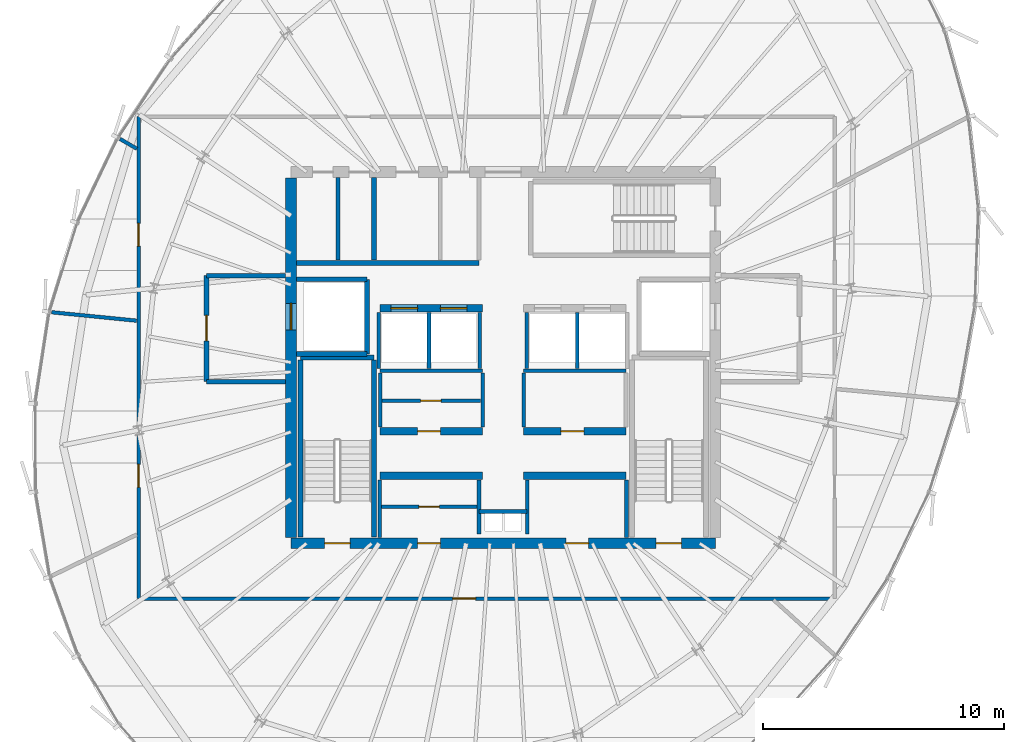
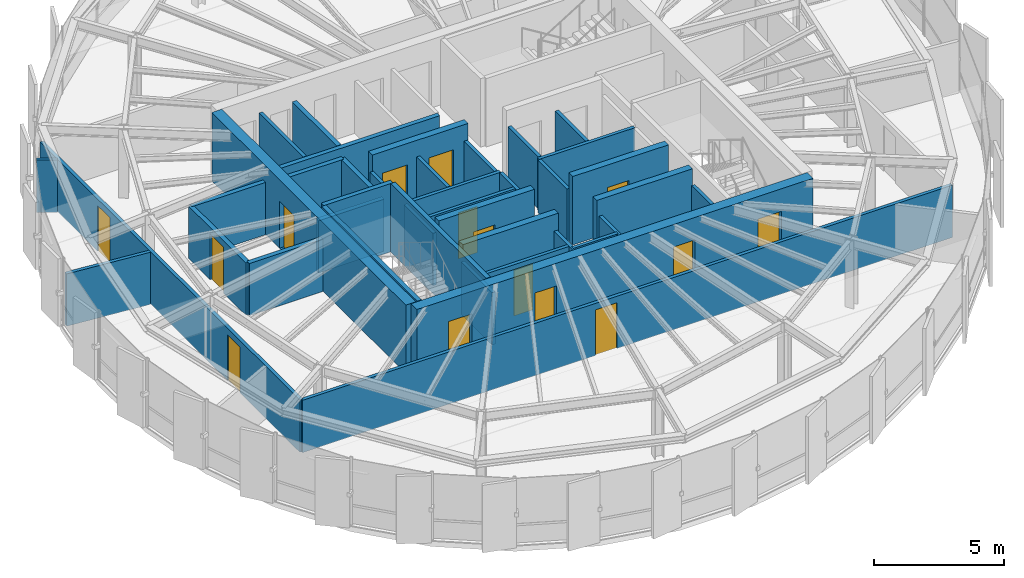
# One storey, part 25 of 31: 40 walls, 15 doors, 15 openings.
"""IFC4 building model written with IfcOpenShell, lengths in metres."""

import ifcopenshell
import ifcopenshell.guid

model = None  # the IFC model being written
_history = None  # IfcOwnerHistory: only IFC2X3 demands one
_inside = {}  # id of a spatial element -> (the spatial element, [elements in it])
_under = {}  # id of a project, library or spatial element -> (it, [spatial elements below it])
_declared = {}  # id of a project -> (the project, [libraries it declares])
_typed = {}  # id of a type object -> (the type object, [elements of that type])
_made_of = {}  # id of a material, layer set ... -> (it, [elements and type objects made of it])


def new_model(schema):
    """Start an empty IFC model of exactly this schema.

    Asked for "IFC4X3", IfcOpenShell would pick the latest addendum, in which some entities
    have other attributes; the version numbers below select the first issue.
    IFC2X3 requires an IfcOwnerHistory on every rooted entity: one is made here for all.
    """
    global model, _history
    if schema == "IFC4X3":
        model = ifcopenshell.file(schema_version=(4, 3, 0, 0))
    else:
        model = ifcopenshell.file(schema=schema)
    _inside.clear()
    _under.clear()
    _declared.clear()
    _typed.clear()
    _made_of.clear()
    _history = None
    if model.schema == "IFC2X3":
        org = make("IfcOrganization", Name="unknown")
        user = make(
            "IfcPersonAndOrganization",
            ThePerson=make("IfcPerson", FamilyName="unknown"),
            TheOrganization=org,
        )
        app = make(
            "IfcApplication",
            ApplicationDeveloper=org,
            Version="unknown",
            ApplicationFullName="unknown",
            ApplicationIdentifier="unknown",
        )
        _history = make(
            "IfcOwnerHistory",
            OwningUser=user,
            OwningApplication=app,
            ChangeAction="ADDED",
            CreationDate=0,
        )
    return model


def make(cls, **values):
    """One entity of the class cls with the attributes given. An attribute that is None is left unset."""
    return model.create_entity(
        cls, **{name: value for name, value in values.items() if value is not None}
    )


def rooted(cls, **values):
    """An entity with a GlobalId (a new one), such as an element, a storey or a relation."""
    return make(cls, GlobalId=ifcopenshell.guid.new(), OwnerHistory=_history, **values)


def si_unit(unit_type, name, prefix=None):
    """IfcSIUnit, for example si_unit("LENGTHUNIT", "METRE", prefix="MILLI")."""
    return make("IfcSIUnit", UnitType=unit_type, Prefix=prefix, Name=name)


def assignment(units):
    """IfcUnitAssignment: the units of a project."""
    return None if units is None else make("IfcUnitAssignment", Units=units)


def point(xyz):
    """IfcCartesianPoint."""
    return None if xyz is None else make("IfcCartesianPoint", Coordinates=xyz)


def direction(xyz):
    """IfcDirection."""
    return None if xyz is None else make("IfcDirection", DirectionRatios=xyz)


def frame(location, z_axis=None, x_axis=None):
    """IfcAxis2Placement3D, a coordinate frame: its origin and axes. An axis left out is left unset."""
    return make(
        "IfcAxis2Placement3D",
        Location=point(location),
        Axis=direction(z_axis),
        RefDirection=direction(x_axis),
    )


def frame_2d(location, x_axis=None):
    """IfcAxis2Placement2D, a coordinate frame in the plane: its origin and x axis."""
    return make(
        "IfcAxis2Placement2D", Location=point(location), RefDirection=direction(x_axis)
    )


def origin():
    """The frame at (0, 0, 0) with its axes left unset."""
    return frame((0.0, 0.0, 0.0))


def place(relative_to, where):
    """IfcLocalPlacement: puts the frame where relative to a parent placement (None: the world)."""
    return make(
        "IfcLocalPlacement", PlacementRelTo=relative_to, RelativePlacement=where
    )


def context(
    kind, dimensions, precision=None, world=None, true_north=None, identifier=None
):
    """IfcGeometricRepresentationContext, for example the 3D "Model" context."""
    return make(
        "IfcGeometricRepresentationContext",
        ContextIdentifier=identifier,
        ContextType=kind,
        CoordinateSpaceDimension=dimensions,
        Precision=precision,
        WorldCoordinateSystem=world,
        TrueNorth=true_north,
    )


def subcontext(parent, identifier, kind, view, scale=None):
    """IfcGeometricRepresentationSubContext, for example "Body" below "Model"."""
    return make(
        "IfcGeometricRepresentationSubContext",
        ContextIdentifier=identifier,
        ContextType=kind,
        ParentContext=parent,
        TargetScale=scale,
        TargetView=view,
    )


def project(units=None, contexts=None):
    """IfcProject with its units and contexts."""
    return rooted(
        "IfcProject",
        Name="project",
        RepresentationContexts=contexts,
        UnitsInContext=assignment(units),
    )


def spatial(cls, under=None, at=None, **own):
    """A site, building, storey or space (cls), placed at a placement, below another one or the project."""
    s = rooted(cls, ObjectPlacement=at, **own)
    if under is not None:
        _under.setdefault(under.id(), (under, []))[1].append(s)
    return s


def profile(cls, at=None, kind="AREA", **sizes):
    """A parametric profile (cls). Its sizes go by their IFC names, for example OverallWidth=200.0."""
    return make(cls, ProfileType=kind, Position=at, **sizes)


def rectangle(**sizes):
    """IfcRectangleProfileDef."""
    return profile("IfcRectangleProfileDef", **sizes)


def extrude(swept, where, along, depth):
    """IfcExtrudedAreaSolid: the profile swept, set in the frame where, extruded along a direction by depth."""
    return make(
        "IfcExtrudedAreaSolid",
        SweptArea=swept,
        Position=where,
        ExtrudedDirection=direction(along),
        Depth=depth,
    )


def shape(context_of_items, identifier, shape_type, items):
    """IfcShapeRepresentation: the items that make up one representation, for example the "Body"."""
    return make(
        "IfcShapeRepresentation",
        ContextOfItems=context_of_items,
        RepresentationIdentifier=identifier,
        RepresentationType=shape_type,
        Items=items,
    )


def source(mapping_origin, context_of_items, identifier, shape_type, items):
    """IfcRepresentationMap: a shape defined once, which mapped items show again and again."""
    return make(
        "IfcRepresentationMap",
        MappingOrigin=mapping_origin,
        MappedRepresentation=shape(context_of_items, identifier, shape_type, items),
    )


def transform(
    local_origin,
    x_axis=None,
    y_axis=None,
    z_axis=None,
    scale=None,
    scale2=None,
    scale3=None,
    uniform=True,
):
    """IfcCartesianTransformationOperator3D, or its non-uniform kind. x_axis, y_axis, z_axis: its Axis1, 2, 3."""
    if uniform:
        return make(
            "IfcCartesianTransformationOperator3D",
            Axis1=direction(x_axis),
            Axis2=direction(y_axis),
            LocalOrigin=point(local_origin),
            Scale=scale,
            Axis3=direction(z_axis),
        )
    return make(
        "IfcCartesianTransformationOperator3DnonUniform",
        Axis1=direction(x_axis),
        Axis2=direction(y_axis),
        LocalOrigin=point(local_origin),
        Scale=scale,
        Axis3=direction(z_axis),
        Scale2=scale2,
        Scale3=scale3,
    )


def mapped(mapping_source, mapping_target):
    """IfcMappedItem: shows the shape of a source again, moved by a transform."""
    return make(
        "IfcMappedItem", MappingSource=mapping_source, MappingTarget=mapping_target
    )


def material(Name=None, Category=None):
    """IfcMaterial."""
    return make("IfcMaterial", Name=Name, Category=Category)


def layer(
    of_material, thickness, ventilated=None, Name=None, Category=None, Priority=None
):
    """IfcMaterialLayer: one layer of a wall or slab, of a material (None: an air gap)."""
    return make(
        "IfcMaterialLayer",
        Material=of_material,
        LayerThickness=thickness,
        IsVentilated=ventilated,
        Name=Name,
        Category=Category,
        Priority=Priority,
    )


def layer_set(layers, Name=None):
    """IfcMaterialLayerSet."""
    return make("IfcMaterialLayerSet", MaterialLayers=layers, LayerSetName=Name)


def made_of(thing, what):
    """Note that an element or type object is made of a material, layer set ...; save() writes the relation."""
    if what is not None:
        _made_of.setdefault(what.id(), (what, []))[1].append(thing)
    return thing


def type_object(cls, material=None, **own):
    """A type object (cls), such as IfcWallType, which elements share."""
    return made_of(rooted(cls, **own), material)


def element(
    cls,
    number,
    at=None,
    inside=None,
    cuts=None,
    type_object=None,
    material=None,
    context=None,
    identifier="Body",
    shape_type=None,
    held_by="IfcProductDefinitionShape",
    body=None,
    shapes=None,
    **own,
):
    """One element of the class cls, such as IfcWall. Its Tag is "e" and its number.

    at: its placement. inside: the storey or other place that contains it. cuts: it is an
    opening in that element (IfcRelVoidsElement). A single representation is given by context,
    identifier, shape_type and body (its items); several are given by shapes. held_by: the class
    of the entity that holds the representations. save() writes the other relations.
    """
    e = rooted(cls, Tag="e%d" % number, ObjectPlacement=at, **own)
    if body is not None:
        shapes = [shape(context, identifier, shape_type, body)]
    if shapes is not None:
        e.Representation = make(held_by, Representations=shapes)
    if inside is not None:
        _inside.setdefault(inside.id(), (inside, []))[1].append(e)
    if cuts is not None:
        rooted(
            "IfcRelVoidsElement", RelatingBuildingElement=cuts, RelatedOpeningElement=e
        )
    if type_object is not None:
        _typed.setdefault(type_object.id(), (type_object, []))[1].append(e)
    return made_of(e, material)


def fill(opening, filler):
    """IfcRelFillsElement: the door or window that sits in an opening."""
    return rooted(
        "IfcRelFillsElement",
        RelatingOpeningElement=opening,
        RelatedBuildingElement=filler,
    )


def aggregate(whole, parts):
    """IfcRelAggregates: a whole, such as a stair, and the parts it consists of."""
    return rooted("IfcRelAggregates", RelatingObject=whole, RelatedObjects=parts)


def save(model, path):
    """Write the relations noted so far, then the file.

    IfcRelAggregates (storeys below a building ...), IfcRelContainedInSpatialStructure (elements
    in a storey), IfcRelDefinesByType, IfcRelAssociatesMaterial and IfcRelDeclares: one each for
    every whole, place, type object, material and project.
    """
    for whole, parts in _under.values():
        aggregate(whole, parts)
    for where, things in _inside.values():
        rooted(
            "IfcRelContainedInSpatialStructure",
            RelatedElements=things,
            RelatingStructure=where,
        )
    for kind, things in _typed.values():
        rooted("IfcRelDefinesByType", RelatedObjects=things, RelatingType=kind)
    for what, things in _made_of.values():
        rooted("IfcRelAssociatesMaterial", RelatedObjects=things, RelatingMaterial=what)
    for by, libraries in _declared.values():
        rooted("IfcRelDeclares", RelatingContext=by, RelatedDefinitions=libraries)
    model.write(path)


model = new_model("IFC4")

# Units and contexts
model_context = context("Model", 3, precision=1e-05, world=origin(), true_north=direction((0.0, 1.0)))
body_context = subcontext(model_context, "Body", "Model", "MODEL_VIEW")
ifc_project = project(units=[si_unit("LENGTHUNIT", "METRE"), si_unit("AREAUNIT", "SQUARE_METRE"), si_unit("VOLUMEUNIT", "CUBIC_METRE"), si_unit("PLANEANGLEUNIT", "RADIAN"), si_unit("MASSUNIT", "GRAM", prefix="KILO"), si_unit("THERMODYNAMICTEMPERATUREUNIT", "KELVIN")], contexts=[model_context])

# Site, building, storey
site_placement = place(None, origin())
site = spatial("IfcSite", under=ifc_project, at=site_placement, CompositionType="ELEMENT")
building_placement = place(site_placement, origin())
building = spatial("IfcBuilding", under=site, at=building_placement, Name="Kethvar Cultural Tower", CompositionType="ELEMENT")
storey_placement = place(building_placement, frame((0.0, 0.0, 276.699951171875)))
storey = spatial("IfcBuildingStorey", under=building, at=storey_placement, Name="L73", CompositionType="ELEMENT", Elevation=276.699951171875)

# Wall, openings, doors
ifc_material_1 = material(Name="Concrete C50/60", Category="concrete")
ifc_layer_1 = layer(ifc_material_1, 0.449951171875, Name="Concrete C50/60", Category="concrete")
ifc_layer_set_1 = layer_set([ifc_layer_1], Name="Concrete C50/60 (450 mm)")
wall_type_1 = type_object("IfcWallType", Name="WL-CORE-450", PredefinedType="SHEAR", material=ifc_layer_set_1)
wall_1_placement = place(storey_placement, frame((38.0, 20.10009765625, 0.0), z_axis=(0.0, 0.0, 1.0), x_axis=(1.0, 0.0, 0.0)))
wall_1 = element("IfcWall", 1, at=wall_1_placement, inside=storey, type_object=wall_type_1, Name="L73 Core Shear Wall S", PredefinedType="SHEAR", context=body_context, shape_type="SweptSolid", body=[
    extrude(rectangle(XDim=17.60009765625, YDim=0.449951171875, at=frame_2d((8.800048828125, 0.0))), origin(), (0.0, 0.0, 1.0), 3.2099609375),
])
opening_1_placement = place(wall_1_placement, frame((1.39990234375, 0.0, 0.0)))
opening_1 = element("IfcOpeningElement", 2, at=opening_1_placement, cuts=wall_1, Name="Opening D-L73-S1", PredefinedType="OPENING", context=body_context, shape_type="SweptSolid", body=[
    extrude(rectangle(XDim=1.050048828125, YDim=2.14990234375, at=frame_2d((0.52490234375, 1.074951171875))), frame((0.0, 0.23486328125, 0.0), z_axis=(0.0, -1.0, 0.0), x_axis=(1.0, 0.0, 0.0)), (0.0, 0.0, 1.0), 0.469970703125),
])
opening_2_placement = place(wall_1_placement, frame((15.14990234375, 0.0, 0.0)))
opening_2 = element("IfcOpeningElement", 3, at=opening_2_placement, cuts=wall_1, Name="Opening D-L73-ST2", PredefinedType="OPENING", context=body_context, shape_type="SweptSolid", body=[
    extrude(rectangle(XDim=1.050048828125, YDim=2.14990234375, at=frame_2d((0.52490234375, 1.074951171875))), frame((0.0, 0.23486328125, 0.0), z_axis=(0.0, -1.0, 0.0), x_axis=(1.0, 0.0, 0.0)), (0.0, 0.0, 1.0), 0.469970703125),
])
opening_3_placement = place(wall_1_placement, frame((5.25, 0.0, 0.0)))
opening_3 = element("IfcOpeningElement", 4, at=opening_3_placement, cuts=wall_1, Name="Opening D-L73-V1", PredefinedType="OPENING", context=body_context, shape_type="SweptSolid", body=[
    extrude(rectangle(XDim=0.949951171875, YDim=2.14990234375, at=frame_2d((0.47509765625, 1.074951171875))), frame((0.0, 0.23486328125, 0.0), z_axis=(0.0, -1.0, 0.0), x_axis=(1.0, 0.0, 0.0)), (0.0, 0.0, 1.0), 0.469970703125),
])
opening_4_placement = place(wall_1_placement, frame((11.39990234375, 0.0, 0.0)))
opening_4 = element("IfcOpeningElement", 5, at=opening_4_placement, cuts=wall_1, Name="Opening D-L73-V2", PredefinedType="OPENING", context=body_context, shape_type="SweptSolid", body=[
    extrude(rectangle(XDim=0.949951171875, YDim=2.14990234375, at=frame_2d((0.47509765625, 1.074951171875))), frame((0.0, 0.23486328125, 0.0), z_axis=(0.0, -1.0, 0.0), x_axis=(1.0, 0.0, 0.0)), (0.0, 0.0, 1.0), 0.469970703125),
])
ifc_material_2 = material(Name="Steel S355J2", Category="steel")
door_type_1 = type_object("IfcDoorType", Name="DR-FD60-1050", OperationType="NOTDEFINED", PredefinedType="DOOR", material=ifc_material_2)
shared_shape_1 = source(origin(), body_context, "Body", "SweptSolid", [
    extrude(rectangle(XDim=1.050048828125, YDim=2.14990234375, at=frame_2d((0.52490234375, 1.074951171875))), frame((0.0, 0.02490234375, 0.0), z_axis=(0.0, -1.0, 0.0), x_axis=(1.0, 0.0, 0.0)), (0.0, 0.0, 1.0), 0.050048828125),
])
door_1_placement = place(opening_1_placement, origin())
door_1 = element("IfcDoor", 6, at=door_1_placement, inside=storey, type_object=door_type_1, Name="L73 Exit Stair 1 Door", OperationType="SINGLE_SWING_LEFT", OverallHeight=2.14990234375, OverallWidth=1.050048828125, PredefinedType="DOOR", context=body_context, shape_type="MappedRepresentation", body=[
    mapped(shared_shape_1, transform((0.0, 0.0, 0.0), scale=1.0)),
])
fill(opening_1, door_1)
door_2_placement = place(opening_2_placement, origin())
door_2 = element("IfcDoor", 7, at=door_2_placement, inside=storey, type_object=door_type_1, Name="L73 Exit Stair 2 Door", OperationType="SINGLE_SWING_RIGHT", OverallHeight=2.14990234375, OverallWidth=1.050048828125, PredefinedType="DOOR", context=body_context, shape_type="MappedRepresentation", body=[
    mapped(shared_shape_1, transform((0.0, 0.0, 0.0), scale=1.0)),
])
fill(opening_2, door_2)
ifc_material_3 = material(Name="Architectural Oak Timber", Category="wood")
door_type_2 = type_object("IfcDoorType", Name="DR-FD30-950", OperationType="NOTDEFINED", PredefinedType="DOOR", material=ifc_material_3)
shared_shape_2 = source(origin(), body_context, "Body", "SweptSolid", [
    extrude(rectangle(XDim=0.949951171875, YDim=2.14990234375, at=frame_2d((0.47509765625, 1.074951171875))), frame((0.0, 0.02490234375, 0.0), z_axis=(0.0, -1.0, 0.0), x_axis=(1.0, 0.0, 0.0)), (0.0, 0.0, 1.0), 0.050048828125),
])
door_3_placement = place(opening_3_placement, origin())
door_3 = element("IfcDoor", 8, at=door_3_placement, inside=storey, type_object=door_type_2, Name="L73 Reclaimed West South Door", OperationType="SINGLE_SWING_LEFT", OverallHeight=2.14990234375, OverallWidth=0.949951171875, PredefinedType="DOOR", context=body_context, shape_type="MappedRepresentation", body=[
    mapped(shared_shape_2, transform((0.0, 0.0, 0.0), scale=1.0)),
])
fill(opening_3, door_3)
door_4_placement = place(opening_4_placement, origin())
door_4 = element("IfcDoor", 9, at=door_4_placement, inside=storey, type_object=door_type_2, Name="L73 Reclaimed East Server Door", OperationType="SINGLE_SWING_RIGHT", OverallHeight=2.14990234375, OverallWidth=0.949951171875, PredefinedType="DOOR", context=body_context, shape_type="MappedRepresentation", body=[
    mapped(shared_shape_2, transform((0.0, 0.0, 0.0), scale=1.0)),
])
fill(opening_4, door_4)

# Wall, opening, door
wall_2_placement = place(storey_placement, frame((38.0, 35.260009765625, 0.0), z_axis=(0.0, 0.0, 1.0), x_axis=(0.0, -1.0, 0.0)))
wall_2 = element("IfcWall", 10, at=wall_2_placement, inside=storey, type_object=wall_type_1, Name="L73 Core Shear Wall W", PredefinedType="SHEAR", context=body_context, shape_type="SweptSolid", body=[
    extrude(rectangle(XDim=14.919921875, YDim=0.449951171875, at=frame_2d((7.4599609375, 0.0))), origin(), (0.0, 0.0, 1.0), 3.2099609375),
])
opening_5_placement = place(wall_2_placement, frame((5.2099609375, 0.0, 0.0)))
opening_5 = element("IfcOpeningElement", 11, at=opening_5_placement, cuts=wall_2, Name="Opening LD-1", PredefinedType="OPENING", context=body_context, shape_type="SweptSolid", body=[
    extrude(rectangle(XDim=1.10009765625, YDim=2.199951171875, at=frame_2d((0.550048828125, 1.10009765625))), frame((0.0, 0.23486328125, 0.0), z_axis=(0.0, -1.0, 0.0), x_axis=(1.0, 0.0, 0.0)), (0.0, 0.0, 1.0), 0.469970703125),
])
door_type_3 = type_object("IfcDoorType", Name="DR-LIFT-SLIDE-1100", OperationType="NOTDEFINED", PredefinedType="DOOR", material=ifc_material_2)
shared_shape_3 = source(origin(), body_context, "Body", "SweptSolid", [
    extrude(rectangle(XDim=1.10009765625, YDim=2.199951171875, at=frame_2d((0.550048828125, 1.10009765625))), frame((0.0, 0.02490234375, 0.0), z_axis=(0.0, -1.0, 0.0), x_axis=(1.0, 0.0, 0.0)), (0.0, 0.0, 1.0), 0.050048828125),
])
door_5_placement = place(opening_5_placement, origin())
door_5 = element("IfcDoor", 12, at=door_5_placement, inside=storey, type_object=door_type_3, Name="L73 Firefighting Lift Landing Door FFL-01", OperationType="SLIDING_TO_LEFT", OverallHeight=2.199951171875, OverallWidth=1.10009765625, PredefinedType="DOOR", context=body_context, shape_type="MappedRepresentation", body=[
    mapped(shared_shape_3, transform((0.0, 0.0, 0.0), scale=1.0)),
])
fill(opening_5, door_5)

# Walls
ifc_material_4 = material(Name="Gypsum Fireboard Partition")
ifc_layer_2 = layer(ifc_material_4, 0.14990234375, Name="Gypsum Fireboard Partition")
ifc_layer_set_2 = layer_set([ifc_layer_2], Name="Gypsum Fireboard Partition (150 mm)")
wall_type_2 = type_object("IfcWallType", Name="WL-FIRE-150", PredefinedType="PARTITIONING", material=ifc_layer_set_2)
wall_3_placement = place(storey_placement, frame((45.800048828125, 21.419921875, 0.0), z_axis=(0.0, 0.0, 1.0), x_axis=(1.0, 0.0, 0.0)))
element("IfcWall", 13, at=wall_3_placement, inside=storey, type_object=wall_type_2, Name="L73 Core Riser Wall", PredefinedType="PARTITIONING", context=body_context, shape_type="SweptSolid", body=[
    extrude(rectangle(XDim=2.0, YDim=0.14990234375, at=frame_2d((1.0, 0.0))), origin(), (0.0, 0.0, 1.0), 2.455078125),
])
for number, where, z_axis, x_axis, name in (
    (14, (45.800048828125, 20.47998046875, 0.0), (0.0, 0.0, 1.0), (0.0, 1.0, 0.0), "L73 Core Riser West Wall"),
    (15, (47.800048828125, 20.47998046875, 0.0), (0.0, 0.0, 1.0), (0.0, 1.0, 0.0), "L73 Core Riser East Wall"),
):
    element("IfcWall", number, at=place(storey_placement, frame(where, z_axis=z_axis, x_axis=x_axis)), inside=storey, type_object=wall_type_2, Name=name, PredefinedType="PARTITIONING", context=body_context, shape_type="SweptSolid", body=[
        extrude(rectangle(XDim=2.239990234375, YDim=0.14990234375, at=frame_2d((1.1201171875, 0.0))), origin(), (0.0, 0.0, 1.0), 2.455078125),
    ])
for number, where, z_axis, x_axis, name in (
    (16, (41.679931640625, 20.3349609375, 0.0), (0.0, 0.0, 1.0), (0.0, 1.0, 0.0), "L73 Reclaimed West Outer Wall"),
    (17, (51.919921875, 20.3349609375, 0.0), (0.0, 0.0, 1.0), (0.0, 1.0, 0.0), "L73 Reclaimed East Outer Wall"),
):
    element("IfcWall", number, at=place(storey_placement, frame(where, z_axis=z_axis, x_axis=x_axis)), inside=storey, type_object=wall_type_2, Name=name, PredefinedType="PARTITIONING", context=body_context, shape_type="SweptSolid", body=[
        extrude(rectangle(XDim=2.39501953125, YDim=0.14990234375, at=frame_2d((1.197509765625, 0.0))), origin(), (0.0, 0.0, 1.0), 2.455078125),
    ])

# Wall, opening, door
wall_4_placement = place(storey_placement, frame((41.760009765625, 21.6201171875, 0.0), z_axis=(0.0, 0.0, 1.0), x_axis=(1.0, 0.0, 0.0)))
wall_4 = element("IfcWall", 18, at=wall_4_placement, inside=storey, type_object=wall_type_2, Name="L73 Vault Gallery Wall W", PredefinedType="PARTITIONING", context=body_context, shape_type="SweptSolid", body=[
    extrude(rectangle(XDim=3.9599609375, YDim=0.14990234375, at=frame_2d((1.97998046875, 0.0))), origin(), (0.0, 0.0, 1.0), 2.455078125),
])
opening_6_placement = place(wall_4_placement, frame((1.550048828125, 0.0, 0.0)))
opening_6 = element("IfcOpeningElement", 19, at=opening_6_placement, cuts=wall_4, Name="Opening D-L73-V3", PredefinedType="OPENING", context=body_context, shape_type="SweptSolid", body=[
    extrude(rectangle(XDim=0.85009765625, YDim=2.14990234375, at=frame_2d((0.425048828125, 1.074951171875))), frame((0.0, 0.0849609375, 0.0), z_axis=(0.0, -1.0, 0.0), x_axis=(1.0, 0.0, 0.0)), (0.0, 0.0, 1.0), 0.169921875),
])
door_type_4 = type_object("IfcDoorType", Name="DR-FD30-850", OperationType="NOTDEFINED", PredefinedType="DOOR", material=ifc_material_2)
shared_shape_4 = source(origin(), body_context, "Body", "SweptSolid", [
    extrude(rectangle(XDim=0.85009765625, YDim=2.14990234375, at=frame_2d((0.425048828125, 1.074951171875))), frame((0.0, 0.02490234375, 0.0), z_axis=(0.0, -1.0, 0.0), x_axis=(1.0, 0.0, 0.0)), (0.0, 0.0, 1.0), 0.050048828125),
])
door_6_placement = place(opening_6_placement, origin())
door_6 = element("IfcDoor", 20, at=door_6_placement, inside=storey, type_object=door_type_4, Name="L73 Inner Vault Gallery Door", OperationType="SINGLE_SWING_LEFT", OverallHeight=2.14990234375, OverallWidth=0.85009765625, PredefinedType="DOOR", context=body_context, shape_type="MappedRepresentation", body=[
    mapped(shared_shape_4, transform((0.0, 0.0, 0.0), scale=1.0)),
])
fill(opening_6, door_6)

# Walls
for number, where, z_axis, x_axis, name in (
    (21, (41.699951171875, 27.25, 0.0), (0.0, 0.0, 1.0), (1.0, 0.0, 0.0), "L73 Reclaimed Mid Wall W"),
    (22, (47.64990234375, 27.25, 0.0), (0.0, 0.0, 1.0), (1.0, 0.0, 0.0), "L73 Reclaimed Mid Wall E"),
):
    element("IfcWall", number, at=place(storey_placement, frame(where, z_axis=z_axis, x_axis=x_axis)), inside=storey, type_object=wall_type_2, Name=name, PredefinedType="PARTITIONING", context=body_context, shape_type="SweptSolid", body=[
        extrude(rectangle(XDim=4.25, YDim=0.14990234375, at=frame_2d((2.125, 0.0))), origin(), (0.0, 0.0, 1.0), 2.455078125),
    ])
for number, where, z_axis, x_axis, name in (
    (23, (41.699951171875, 24.919921875, 0.0), (0.0, 0.0, 1.0), (0.0, 1.0, 0.0), "L73 Reclaimed Mid Outer W"),
    (24, (45.949951171875, 24.919921875, 0.0), (0.0, 0.0, 1.0), (0.0, 1.0, 0.0), "L73 Reclaimed Mid Spine W"),
    (25, (47.64990234375, 24.919921875, 0.0), (0.0, 0.0, 1.0), (0.0, 1.0, 0.0), "L73 Reclaimed Mid Spine E"),
):
    element("IfcWall", number, at=place(storey_placement, frame(where, z_axis=z_axis, x_axis=x_axis)), inside=storey, type_object=wall_type_2, Name=name, PredefinedType="PARTITIONING", context=body_context, shape_type="SweptSolid", body=[
        extrude(rectangle(XDim=2.239990234375, YDim=0.14990234375, at=frame_2d((1.1201171875, 0.0))), origin(), (0.0, 0.0, 1.0), 2.455078125),
    ])

# Wall, opening, door
wall_5_placement = place(storey_placement, frame((41.780029296875, 26.010009765625, 0.0), z_axis=(0.0, 0.0, 1.0), x_axis=(1.0, 0.0, 0.0)))
wall_5 = element("IfcWall", 26, at=wall_5_placement, inside=storey, type_object=wall_type_2, Name="L73 Mid Gallery Wall W", PredefinedType="PARTITIONING", context=body_context, shape_type="SweptSolid", body=[
    extrude(rectangle(XDim=4.090087890625, YDim=0.14990234375, at=frame_2d((2.044921875, 0.0))), origin(), (0.0, 0.0, 1.0), 2.455078125),
])
opening_7_placement = place(wall_5_placement, frame((1.60009765625, 0.0, 0.0)))
opening_7 = element("IfcOpeningElement", 27, at=opening_7_placement, cuts=wall_5, Name="Opening D-L73-M3", PredefinedType="OPENING", context=body_context, shape_type="SweptSolid", body=[
    extrude(rectangle(XDim=0.85009765625, YDim=2.14990234375, at=frame_2d((0.425048828125, 1.074951171875))), frame((0.0, 0.0849609375, 0.0), z_axis=(0.0, -1.0, 0.0), x_axis=(1.0, 0.0, 0.0)), (0.0, 0.0, 1.0), 0.169921875),
])
door_7_placement = place(opening_7_placement, origin())
door_7 = element("IfcDoor", 28, at=door_7_placement, inside=storey, type_object=door_type_4, Name="L73 Fibre Inner Door", OperationType="SINGLE_SWING_LEFT", OverallHeight=2.14990234375, OverallWidth=0.85009765625, PredefinedType="DOOR", context=body_context, shape_type="MappedRepresentation", body=[
    mapped(shared_shape_4, transform((0.0, 0.0, 0.0), scale=1.0)),
])
fill(opening_7, door_7)

# Walls
for number, where, z_axis, x_axis, name in (
    (29, (41.64990234375, 27.340087890625, 0.0), (0.0, 0.0, 1.0), (0.0, 1.0, 0.0), "L73 High-Rise Lift Shaft Outer Wall W"),
    (30, (43.72509765625, 27.340087890625, 0.0), (0.0, 0.0, 1.0), (0.0, 1.0, 0.0), "L73 High-Rise Lift Shaft Divider W"),
    (31, (45.824951171875, 27.340087890625, 0.0), (0.0, 0.0, 1.0), (0.0, 1.0, 0.0), "L73 High-Rise Lift Shaft Concourse Wall W"),
    (32, (47.77490234375, 27.340087890625, 0.0), (0.0, 0.0, 1.0), (0.0, 1.0, 0.0), "L73 High-Rise Lift Shaft Concourse Wall E"),
    (33, (49.875, 27.340087890625, 0.0), (0.0, 0.0, 1.0), (0.0, 1.0, 0.0), "L73 High-Rise Lift Shaft Divider E"),
):
    element("IfcWall", number, at=place(storey_placement, frame(where, z_axis=z_axis, x_axis=x_axis)), inside=storey, type_object=wall_type_2, Name=name, PredefinedType="PARTITIONING", context=body_context, shape_type="SweptSolid", body=[
        extrude(rectangle(XDim=2.33984375, YDim=0.14990234375, at=frame_2d((1.169921875, 0.0))), origin(), (0.0, 0.0, 1.0), 2.455078125),
    ])
wall_6_placement = place(storey_placement, frame((39.949951171875, 31.85009765625, 0.0), z_axis=(0.0, 0.0, 1.0), x_axis=(0.0, 1.0, 0.0)))
element("IfcWall", 34, at=wall_6_placement, inside=storey, type_object=wall_type_2, Name="L73 NW Riser Divider", PredefinedType="PARTITIONING", context=body_context, shape_type="SweptSolid", body=[
    extrude(rectangle(XDim=3.414794921875, YDim=0.14990234375, at=frame_2d((1.70751953125, 0.0))), origin(), (0.0, 0.0, 1.0), 2.455078125),
])

# Wall, opening, door
wall_7_placement = place(storey_placement, frame((31.679931640625, 17.806884765625, 0.0), z_axis=(0.0, 0.0, 1.0), x_axis=(1.0, 0.0, 0.0)))
wall_7 = element("IfcWall", 35, at=wall_7_placement, inside=storey, type_object=wall_type_2, Name="L73 Corridor Rated Wall S", PredefinedType="PARTITIONING", context=body_context, shape_type="SweptSolid", body=[
    extrude(rectangle(XDim=28.8701171875, YDim=0.14990234375, at=frame_2d((14.43505859375, 0.0))), origin(), (0.0, 0.0, 1.0), 2.455078125),
])
opening_8_placement = place(wall_7_placement, frame((13.025390625, 0.0, 0.0)))
opening_8 = element("IfcOpeningElement", 36, at=opening_8_placement, cuts=wall_7, Name="Opening D-L73-01", PredefinedType="OPENING", context=body_context, shape_type="SweptSolid", body=[
    extrude(rectangle(XDim=0.949951171875, YDim=2.14990234375, at=frame_2d((0.47509765625, 1.074951171875))), frame((0.0, 0.0849609375, 0.0), z_axis=(0.0, -1.0, 0.0), x_axis=(1.0, 0.0, 0.0)), (0.0, 0.0, 1.0), 0.169921875),
])
door_8_placement = place(opening_8_placement, origin())
door_8 = element("IfcDoor", 37, at=door_8_placement, inside=storey, type_object=door_type_2, Name="L73 Panoramic Reading Lounge 01 Door", OperationType="SINGLE_SWING_RIGHT", OverallHeight=2.14990234375, OverallWidth=0.949951171875, PredefinedType="DOOR", context=body_context, shape_type="MappedRepresentation", body=[
    mapped(shared_shape_2, transform((0.0, 0.0, 0.0), scale=1.0)),
])
fill(opening_8, door_8)

# Wall, openings, doors
wall_8_placement = place(storey_placement, frame((31.679931640625, 37.79296875, 0.0), z_axis=(0.0, 0.0, 1.0), x_axis=(0.0, -1.0, 0.0)))
wall_8 = element("IfcWall", 38, at=wall_8_placement, inside=storey, type_object=wall_type_2, Name="L73 Corridor Rated Wall W", PredefinedType="PARTITIONING", context=body_context, shape_type="SweptSolid", body=[
    extrude(rectangle(XDim=19.986083984375, YDim=0.14990234375, at=frame_2d((9.9931640625, 0.0))), origin(), (0.0, 0.0, 1.0), 2.455078125),
])
opening_9_placement = place(wall_8_placement, frame((4.422119140625, 0.0, 0.0)))
opening_9 = element("IfcOpeningElement", 39, at=opening_9_placement, cuts=wall_8, Name="Opening D-L73-06", PredefinedType="OPENING", context=body_context, shape_type="SweptSolid", body=[
    extrude(rectangle(XDim=0.949951171875, YDim=2.14990234375, at=frame_2d((0.47509765625, 1.074951171875))), frame((0.0, 0.0849609375, 0.0), z_axis=(0.0, -1.0, 0.0), x_axis=(1.0, 0.0, 0.0)), (0.0, 0.0, 1.0), 0.169921875),
])
opening_10_placement = place(wall_8_placement, frame((14.421142578125, 0.0, 0.0)))
opening_10 = element("IfcOpeningElement", 40, at=opening_10_placement, cuts=wall_8, Name="Opening D-L73-07", PredefinedType="OPENING", context=body_context, shape_type="SweptSolid", body=[
    extrude(rectangle(XDim=0.949951171875, YDim=2.14990234375, at=frame_2d((0.47509765625, 1.074951171875))), frame((0.0, 0.0849609375, 0.0), z_axis=(0.0, -1.0, 0.0), x_axis=(1.0, 0.0, 0.0)), (0.0, 0.0, 1.0), 0.169921875),
])
door_9_placement = place(opening_9_placement, origin())
door_9 = element("IfcDoor", 41, at=door_9_placement, inside=storey, type_object=door_type_2, Name="L73 Scholars' Servery Pantry 06 Door", OperationType="SINGLE_SWING_LEFT", OverallHeight=2.14990234375, OverallWidth=0.949951171875, PredefinedType="DOOR", context=body_context, shape_type="MappedRepresentation", body=[
    mapped(shared_shape_2, transform((0.0, 0.0, 0.0), scale=1.0)),
])
fill(opening_9, door_9)
door_10_placement = place(opening_10_placement, origin())
door_10 = element("IfcDoor", 42, at=door_10_placement, inside=storey, type_object=door_type_2, Name="L73 Cultural Periodicals Kiosk 07 Door", OperationType="SINGLE_SWING_RIGHT", OverallHeight=2.14990234375, OverallWidth=0.949951171875, PredefinedType="DOOR", context=body_context, shape_type="MappedRepresentation", body=[
    mapped(shared_shape_2, transform((0.0, 0.0, 0.0), scale=1.0)),
])
fill(opening_10, door_10)

# Walls
ifc_material_5 = material(Name="Concrete C40/50", Category="concrete")
ifc_layer_3 = layer(ifc_material_5, 0.199951171875, Name="Concrete C40/50", Category="concrete")
ifc_layer_set_3 = layer_set([ifc_layer_3], Name="Concrete C40/50 (200 mm)")
wall_type_3 = type_object("IfcWallType", Name="WL-FIRE-200", PredefinedType="PARTITIONING", material=ifc_layer_set_3)
wall_9_placement = place(storey_placement, frame((41.14990234375, 27.949951171875, 0.0), z_axis=(0.0, 0.0, 1.0), x_axis=(0.0, 1.0, 0.0)))
element("IfcWall", 43, at=wall_9_placement, inside=storey, type_object=wall_type_3, Name="L73 FFL-01 Shaft Inner Wall", PredefinedType="PARTITIONING", context=body_context, shape_type="SweptSolid", body=[
    extrude(rectangle(XDim=3.10009765625, YDim=0.199951171875, at=frame_2d((1.550048828125, 0.0))), origin(), (0.0, 0.0, 1.0), 2.455078125),
])
for number, where, z_axis, x_axis, name in (
    (44, (38.235107421875, 27.949951171875, 0.0), (0.0, 0.0, 1.0), (1.0, 0.0, 0.0), "L73 FFL-01 Shaft South Wall"),
    (45, (38.235107421875, 31.050048828125, 0.0), (0.0, 0.0, 1.0), (1.0, 0.0, 0.0), "L73 FFL-01 Shaft North Wall"),
):
    element("IfcWall", number, at=place(storey_placement, frame(where, z_axis=z_axis, x_axis=x_axis)), inside=storey, type_object=wall_type_3, Name=name, PredefinedType="PARTITIONING", context=body_context, shape_type="SweptSolid", body=[
        extrude(rectangle(XDim=2.914794921875, YDim=0.199951171875, at=frame_2d((1.45751953125, 0.0))), origin(), (0.0, 0.0, 1.0), 2.455078125),
    ])

# Wall, opening, door
wall_10_placement = place(storey_placement, frame((34.5, 31.199951171875, 0.0), z_axis=(0.0, 0.0, 1.0), x_axis=(0.0, -1.0, 0.0)))
wall_10 = element("IfcWall", 46, at=wall_10_placement, inside=storey, type_object=wall_type_3, Name="L73 Firefighting Lobby 1 Wall", PredefinedType="PARTITIONING", context=body_context, shape_type="SweptSolid", body=[
    extrude(rectangle(XDim=4.39990234375, YDim=0.199951171875, at=frame_2d((2.199951171875, 0.0))), origin(), (0.0, 0.0, 1.0), 2.455078125),
])
opening_11_placement = place(wall_10_placement, frame((1.64990234375, 0.0, 0.0)))
opening_11 = element("IfcOpeningElement", 47, at=opening_11_placement, cuts=wall_10, Name="Opening D-L73-F1", PredefinedType="OPENING", context=body_context, shape_type="SweptSolid", body=[
    extrude(rectangle(XDim=1.050048828125, YDim=2.14990234375, at=frame_2d((0.52490234375, 1.074951171875))), frame((0.0, 0.10986328125, 0.0), z_axis=(0.0, -1.0, 0.0), x_axis=(1.0, 0.0, 0.0)), (0.0, 0.0, 1.0), 0.219970703125),
])
door_11_placement = place(opening_11_placement, origin())
door_11 = element("IfcDoor", 48, at=door_11_placement, inside=storey, type_object=door_type_1, Name="L73 Firefighting Lobby 1 Fire Door", OperationType="SINGLE_SWING_LEFT", OverallHeight=2.14990234375, OverallWidth=1.050048828125, PredefinedType="DOOR", context=body_context, shape_type="MappedRepresentation", body=[
    mapped(shared_shape_1, transform((0.0, 0.0, 0.0), scale=1.0)),
])
fill(opening_11, door_11)

# Walls
for number, where, z_axis, x_axis, name in (
    (49, (34.5, 26.800048828125, 0.0), (0.0, 0.0, 1.0), (1.0, 0.0, 0.0), "L73 FF Lobby 1 South Wall"),
    (50, (34.5, 31.199951171875, 0.0), (0.0, 0.0, 1.0), (1.0, 0.0, 0.0), "L73 FF Lobby 1 North Wall"),
):
    element("IfcWall", number, at=place(storey_placement, frame(where, z_axis=z_axis, x_axis=x_axis)), inside=storey, type_object=wall_type_3, Name=name, PredefinedType="PARTITIONING", context=body_context, shape_type="SweptSolid", body=[
        extrude(rectangle(XDim=3.264892578125, YDim=0.199951171875, at=frame_2d((1.63232421875, 0.0))), origin(), (0.0, 0.0, 1.0), 2.455078125),
    ])
wall_11_placement = place(storey_placement, frame((41.449951171875, 31.85009765625, 0.0), z_axis=(0.0, 0.0, 1.0), x_axis=(0.0, 1.0, 0.0)))
element("IfcWall", 51, at=wall_11_placement, inside=storey, type_object=wall_type_3, Name="L73 NW Core Pocket Wall", PredefinedType="PARTITIONING", context=body_context, shape_type="SweptSolid", body=[
    extrude(rectangle(XDim=3.414794921875, YDim=0.199951171875, at=frame_2d((1.70751953125, 0.0))), origin(), (0.0, 0.0, 1.0), 2.455078125),
])
wall_12_placement = place(storey_placement, frame((38.235107421875, 31.72998046875, 0.0), z_axis=(0.0, 0.0, 1.0), x_axis=(1.0, 0.0, 0.0)))
element("IfcWall", 52, at=wall_12_placement, inside=storey, type_object=wall_type_3, Name="L73 North Core Sanitary South Wall", PredefinedType="PARTITIONING", context=body_context, shape_type="SweptSolid", body=[
    extrude(rectangle(XDim=7.56494140625, YDim=0.199951171875, at=frame_2d((3.782470703125, 0.0))), origin(), (0.0, 0.0, 1.0), 2.455078125),
])
ifc_material_6 = material(Name="Gypsum Acoustic Partition")
ifc_layer_4 = layer(ifc_material_6, 0.14990234375, Name="Gypsum Acoustic Partition")
ifc_layer_set_4 = layer_set([ifc_layer_4], Name="Gypsum Acoustic Partition (150 mm)")
wall_type_4 = type_object("IfcWallType", Name="WL-PART-150", PredefinedType="PARTITIONING", material=ifc_layer_set_4)
wall_13_placement = place(storey_placement, frame((31.61083984375, 36.46435546875, 0.0), z_axis=(0.0, 0.0, 1.0), x_axis=(-0.865028583044, 0.501722583224, 0.0)))
element("IfcWall", 53, at=wall_13_placement, inside=storey, type_object=wall_type_4, Name="L73 Radial Partition Wall 06", PredefinedType="PARTITIONING", context=body_context, shape_type="SweptSolid", body=[
    extrude(rectangle(XDim=0.813232421875, YDim=0.14990234375, at=frame_2d((0.40673828125, 0.0))), origin(), (0.0, 0.0, 1.0), 2.455078125),
])
wall_14_placement = place(storey_placement, frame((31.600341796875, 29.3330078125, 0.0), z_axis=(0.0, 0.0, 1.0), x_axis=(-0.995099755561, 0.098876066281, 0.0)))
element("IfcWall", 54, at=wall_14_placement, inside=storey, type_object=wall_type_4, Name="L73 Radial Partition Wall 07", PredefinedType="PARTITIONING", context=body_context, shape_type="SweptSolid", body=[
    extrude(rectangle(XDim=3.543212890625, YDim=0.14990234375, at=frame_2d((1.771484375, 0.0))), origin(), (0.0, 0.0, 1.0), 2.455078125),
])
ifc_layer_5 = layer(ifc_material_1, 0.300048828125, Name="Concrete C50/60", Category="concrete")
ifc_layer_set_5 = layer_set([ifc_layer_5], Name="Concrete C50/60 (300 mm)")
wall_type_5 = type_object("IfcWallType", Name="WL-SHAFT-300", PredefinedType="SHEAR", material=ifc_layer_set_5)
for number, where, z_axis, x_axis, name in (
    (55, (41.699951171875, 22.89990234375, 0.0), (0.0, 0.0, 1.0), (1.0, 0.0, 0.0), "L73 Core Lift Spine Wall MID1W"),
    (56, (47.64990234375, 22.89990234375, 0.0), (0.0, 0.0, 1.0), (1.0, 0.0, 0.0), "L73 Core Lift Spine Wall MID1E"),
):
    element("IfcWall", number, at=place(storey_placement, frame(where, z_axis=z_axis, x_axis=x_axis)), inside=storey, type_object=wall_type_5, Name=name, PredefinedType="SHEAR", context=body_context, shape_type="SweptSolid", body=[
        extrude(rectangle(XDim=4.25, YDim=0.300048828125, at=frame_2d((2.125, 0.0))), origin(), (0.0, 0.0, 1.0), 3.2099609375),
    ])

# Wall, opening, door
wall_15_placement = place(storey_placement, frame((41.699951171875, 24.75, 0.0), z_axis=(0.0, 0.0, 1.0), x_axis=(1.0, 0.0, 0.0)))
wall_15 = element("IfcWall", 57, at=wall_15_placement, inside=storey, type_object=wall_type_5, Name="L73 Core Lift Spine Wall MID2W", PredefinedType="SHEAR", context=body_context, shape_type="SweptSolid", body=[
    extrude(rectangle(XDim=4.25, YDim=0.300048828125, at=frame_2d((2.125, 0.0))), origin(), (0.0, 0.0, 1.0), 3.2099609375),
])
opening_12_placement = place(wall_15_placement, frame((1.550048828125, 0.0, 0.0)))
opening_12 = element("IfcOpeningElement", 58, at=opening_12_placement, cuts=wall_15, Name="Opening D-L73-M1", PredefinedType="OPENING", context=body_context, shape_type="SweptSolid", body=[
    extrude(rectangle(XDim=0.949951171875, YDim=2.14990234375, at=frame_2d((0.47509765625, 1.074951171875))), frame((0.0, 0.159912109375, 0.0), z_axis=(0.0, -1.0, 0.0), x_axis=(1.0, 0.0, 0.0)), (0.0, 0.0, 1.0), 0.320068359375),
])
door_12_placement = place(opening_12_placement, origin())
door_12 = element("IfcDoor", 59, at=door_12_placement, inside=storey, type_object=door_type_2, Name="L73 Fibre Patch Door", OperationType="SINGLE_SWING_LEFT", OverallHeight=2.14990234375, OverallWidth=0.949951171875, PredefinedType="DOOR", context=body_context, shape_type="MappedRepresentation", body=[
    mapped(shared_shape_2, transform((0.0, 0.0, 0.0), scale=1.0)),
])
fill(opening_12, door_12)

wall_16_placement = place(storey_placement, frame((47.64990234375, 24.75, 0.0), z_axis=(0.0, 0.0, 1.0), x_axis=(1.0, 0.0, 0.0)))
wall_16 = element("IfcWall", 60, at=wall_16_placement, inside=storey, type_object=wall_type_5, Name="L73 Core Lift Spine Wall MID2E", PredefinedType="SHEAR", context=body_context, shape_type="SweptSolid", body=[
    extrude(rectangle(XDim=4.25, YDim=0.300048828125, at=frame_2d((2.125, 0.0))), origin(), (0.0, 0.0, 1.0), 3.2099609375),
])
opening_13_placement = place(wall_16_placement, frame((1.550048828125, 0.0, 0.0)))
opening_13 = element("IfcOpeningElement", 61, at=opening_13_placement, cuts=wall_16, Name="Opening D-L73-M2", PredefinedType="OPENING", context=body_context, shape_type="SweptSolid", body=[
    extrude(rectangle(XDim=0.949951171875, YDim=2.14990234375, at=frame_2d((0.47509765625, 1.074951171875))), frame((0.0, 0.159912109375, 0.0), z_axis=(0.0, -1.0, 0.0), x_axis=(1.0, 0.0, 0.0)), (0.0, 0.0, 1.0), 0.320068359375),
])
door_13_placement = place(opening_13_placement, origin())
door_13 = element("IfcDoor", 62, at=door_13_placement, inside=storey, type_object=door_type_2, Name="L73 Sky Archive Annex Door", OperationType="SINGLE_SWING_RIGHT", OverallHeight=2.14990234375, OverallWidth=0.949951171875, PredefinedType="DOOR", context=body_context, shape_type="MappedRepresentation", body=[
    mapped(shared_shape_2, transform((0.0, 0.0, 0.0), scale=1.0)),
])
fill(opening_13, door_13)

# Wall, openings, doors
wall_17_placement = place(storey_placement, frame((41.699951171875, 29.85009765625, 0.0), z_axis=(0.0, 0.0, 1.0), x_axis=(1.0, 0.0, 0.0)))
wall_17 = element("IfcWall", 63, at=wall_17_placement, inside=storey, type_object=wall_type_5, Name="L73 Core Lift Spine Wall MID3W", PredefinedType="SHEAR", context=body_context, shape_type="SweptSolid", body=[
    extrude(rectangle(XDim=4.25, YDim=0.300048828125, at=frame_2d((2.125, 0.0))), origin(), (0.0, 0.0, 1.0), 3.2099609375),
])
opening_14_placement = place(wall_17_placement, frame((0.449951171875, 0.0, 0.0)))
opening_14 = element("IfcOpeningElement", 64, at=opening_14_placement, cuts=wall_17, Name="Opening LD-H1", PredefinedType="OPENING", context=body_context, shape_type="SweptSolid", body=[
    extrude(rectangle(XDim=1.10009765625, YDim=2.199951171875, at=frame_2d((0.550048828125, 1.10009765625))), frame((0.0, 0.159912109375, 0.0), z_axis=(0.0, -1.0, 0.0), x_axis=(1.0, 0.0, 0.0)), (0.0, 0.0, 1.0), 0.320068359375),
])
opening_15_placement = place(wall_17_placement, frame((2.5, 0.0, 0.0)))
opening_15 = element("IfcOpeningElement", 65, at=opening_15_placement, cuts=wall_17, Name="Opening LD-H2", PredefinedType="OPENING", context=body_context, shape_type="SweptSolid", body=[
    extrude(rectangle(XDim=1.10009765625, YDim=2.199951171875, at=frame_2d((0.550048828125, 1.10009765625))), frame((0.0, 0.159912109375, 0.0), z_axis=(0.0, -1.0, 0.0), x_axis=(1.0, 0.0, 0.0)), (0.0, 0.0, 1.0), 0.320068359375),
])
door_14_placement = place(opening_14_placement, origin())
door_14 = element("IfcDoor", 66, at=door_14_placement, inside=storey, type_object=door_type_3, Name="L73 High-Rise Lift Landing Door H1", OperationType="SLIDING_TO_LEFT", OverallHeight=2.199951171875, OverallWidth=1.10009765625, PredefinedType="DOOR", context=body_context, shape_type="MappedRepresentation", body=[
    mapped(shared_shape_3, transform((0.0, 0.0, 0.0), scale=1.0)),
])
fill(opening_14, door_14)
door_15_placement = place(opening_15_placement, origin())
door_15 = element("IfcDoor", 67, at=door_15_placement, inside=storey, type_object=door_type_3, Name="L73 High-Rise Lift Landing Door H2", OperationType="SLIDING_TO_LEFT", OverallHeight=2.199951171875, OverallWidth=1.10009765625, PredefinedType="DOOR", context=body_context, shape_type="MappedRepresentation", body=[
    mapped(shared_shape_3, transform((0.0, 0.0, 0.0), scale=1.0)),
])
fill(opening_15, door_15)

# Walls
ifc_layer_6 = layer(ifc_material_1, 0.199951171875, Name="Concrete C50/60", Category="concrete")
ifc_layer_set_6 = layer_set([ifc_layer_6], Name="Concrete C50/60 (200 mm)")
wall_type_6 = type_object("IfcWallType", Name="WL-STSHAFT-200", PredefinedType="SHEAR", material=ifc_layer_set_6)
wall_18_placement = place(storey_placement, frame((38.389892578125, 27.800048828125, 0.0), z_axis=(0.0, 0.0, 1.0), x_axis=(1.0, 0.0, 0.0)))
element("IfcWall", 68, at=wall_18_placement, inside=storey, type_object=wall_type_6, Name="L73 ST-01 Stair Shaft Wall FAR", PredefinedType="SHEAR", context=body_context, shape_type="SweptSolid", body=[
    extrude(rectangle(XDim=3.06005859375, YDim=0.199951171875, at=frame_2d((1.530029296875, 0.0))), origin(), (0.0, 0.0, 1.0), 3.2099609375),
])
for number, where, z_axis, x_axis, name in (
    (69, (41.449951171875, 27.699951171875, 0.0), (0.0, 0.0, 1.0), (0.0, -1.0, 0.0), "L73 ST-01 Stair Shaft Wall LEFT"),
    (70, (38.389892578125, 20.35009765625, 0.0), (0.0, 0.0, 1.0), (0.0, 1.0, 0.0), "L73 ST-01 Stair Shaft Wall RIGHT"),
):
    element("IfcWall", number, at=place(storey_placement, frame(where, z_axis=z_axis, x_axis=x_axis)), inside=storey, type_object=wall_type_6, Name=name, PredefinedType="SHEAR", context=body_context, shape_type="SweptSolid", body=[
        extrude(rectangle(XDim=7.349853515625, YDim=0.199951171875, at=frame_2d((3.6748046875, 0.0))), origin(), (0.0, 0.0, 1.0), 3.2099609375),
    ])

save(model, "model.ifc")
